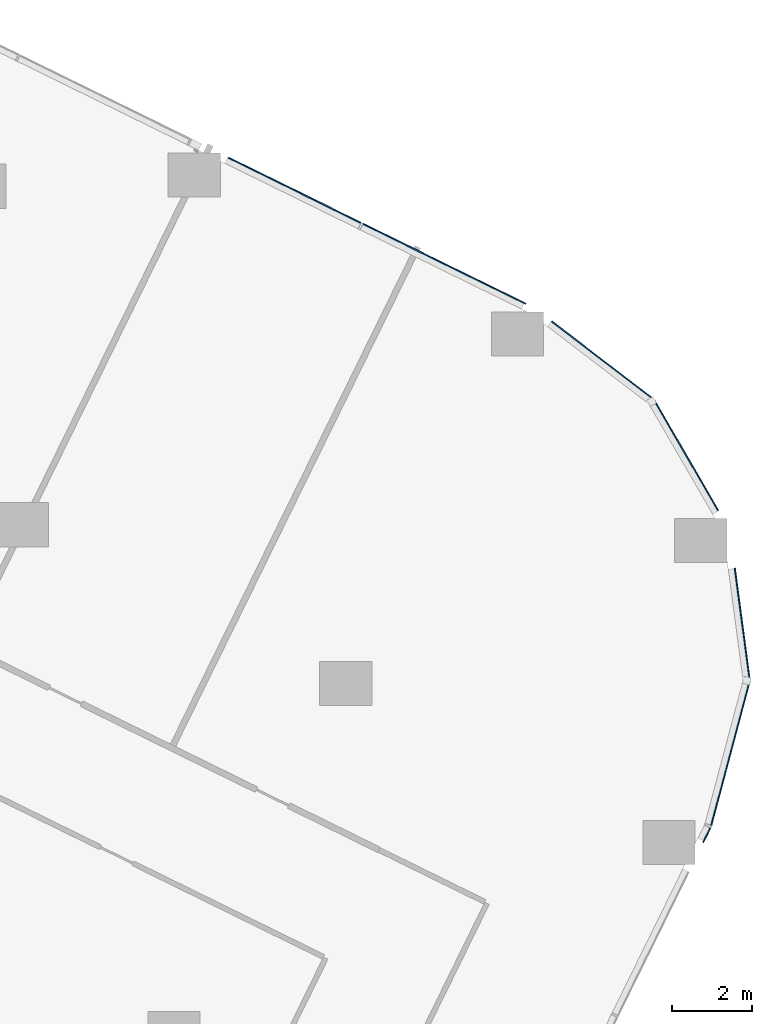
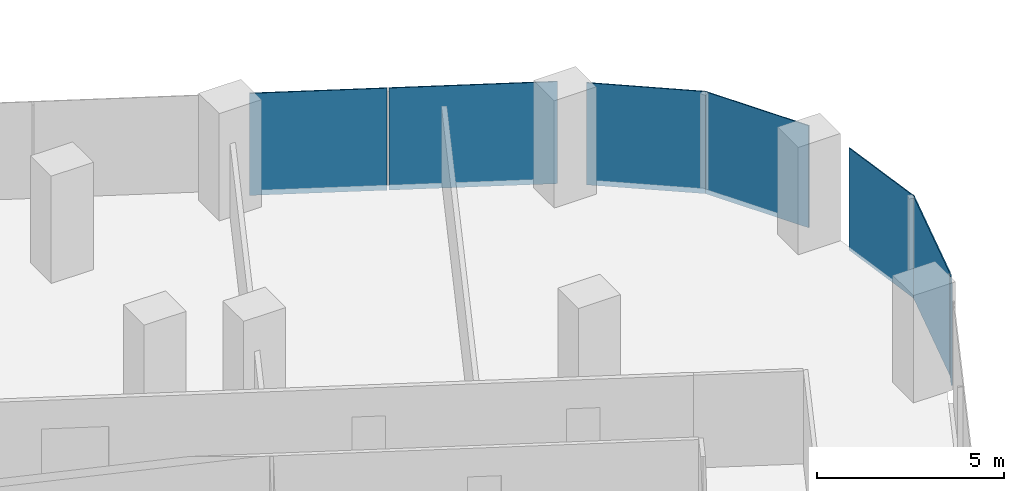
# One storey, part 23 of 38: 7 plates, 6 elements without a shape of their own.
"""IFC4 building model written with IfcOpenShell, lengths in metres."""

from ifc_helpers import new_model, si_unit, direction, frame, origin, origin_2d, place, context, subcontext, project, spatial, rectangle, extrude, material, layer, layer_set, type_object, element, aggregate, save


model = new_model("IFC4")

# Units and contexts
model_context = context("Model", 3, precision=1e-05, world=origin(), true_north=direction((0.0, 1.0)))
body_context = subcontext(model_context, "Body", "Model", "MODEL_VIEW")
ifc_project = project(units=[si_unit("LENGTHUNIT", "METRE"), si_unit("AREAUNIT", "SQUARE_METRE"), si_unit("VOLUMEUNIT", "CUBIC_METRE"), si_unit("PLANEANGLEUNIT", "RADIAN"), si_unit("MASSUNIT", "GRAM", prefix="KILO")], contexts=[model_context])

# Site, building, storey
site_placement = place(None, origin())
site = spatial("IfcSite", under=ifc_project, at=site_placement, CompositionType="ELEMENT")
building_placement = place(site_placement, origin())
building = spatial("IfcBuilding", under=site, at=building_placement, Name="Orlundy Tower", CompositionType="ELEMENT")
storey_placement = place(building_placement, frame((0.0, 0.0, 69.300048828125)))
storey = spatial("IfcBuildingStorey", under=building, at=storey_placement, Name="L16", CompositionType="ELEMENT", Elevation=69.300048828125)

# Curtain wall, plates
ifc_material_1 = material(Name="Aluminium bronze anodised", Category="aluminium")
curtain_wall_type = type_object("IfcCurtainWallType", Name="CW1 wall", PredefinedType="NOTDEFINED", material=ifc_material_1)
curtain_wall_1_placement = place(storey_placement, origin())
curtain_wall_1 = element("IfcCurtainWall", 1, at=curtain_wall_1_placement, inside=storey, type_object=curtain_wall_type, Name="CW1 run 018", PredefinedType="NOTDEFINED")
ifc_material_2 = material(Name="Tinted glass", Category="glass")
ifc_layer = layer(ifc_material_2, 0.031982421875)
ifc_layer_set = layer_set([ifc_layer], Name="CW1 glass panel 32")
plate_type = type_object("IfcPlateType", Name="CW1 glass panel 32", PredefinedType="CURTAIN_PANEL", material=ifc_layer_set)
plate_1_placement = place(storey_placement, frame((48.722900390625, -1.47314453125, -0.280029296875), z_axis=(0.0, 0.0, 1.0), x_axis=(0.897517823728, -0.440978180969, 0.0)))
plate_1 = element("IfcPlate", 2, at=plate_1_placement, type_object=plate_type, Name="CW1 panel", PredefinedType="CURTAIN_PANEL", context=body_context, shape_type="SweptSolid", body=[
    extrude(rectangle(XDim=3.68115234375, YDim=0.031982421875, at=origin_2d()), origin(), (0.0, 0.0, 1.0), 3.330078125),
])
plate_2_placement = place(storey_placement, frame((52.447021484375, -3.302978515625, -0.280029296875), z_axis=(0.0, 0.0, 1.0), x_axis=(0.897517823728, -0.440978180969, 0.0)))
plate_2 = element("IfcPlate", 3, at=plate_2_placement, type_object=plate_type, Name="CW1 panel", PredefinedType="CURTAIN_PANEL", context=body_context, shape_type="SweptSolid", body=[
    extrude(rectangle(XDim=4.517578125, YDim=0.031982421875, at=origin_2d()), origin(), (0.0, 0.0, 1.0), 3.330078125),
])
aggregate(curtain_wall_1, [plate_1, plate_2])

# Curtain wall, plate
curtain_wall_2_placement = place(storey_placement, origin())
curtain_wall_2 = element("IfcCurtainWall", 4, at=curtain_wall_2_placement, inside=storey, type_object=curtain_wall_type, Name="CW1 run 019", PredefinedType="NOTDEFINED")
plate_3_placement = place(storey_placement, frame((56.390869140625, -5.708740234375, -0.280029296875), z_axis=(0.0, 0.0, 1.0), x_axis=(0.794265929863, -0.607570269729, 0.0)))
plate_3 = element("IfcPlate", 5, at=plate_3_placement, type_object=plate_type, Name="CW1 panel", PredefinedType="CURTAIN_PANEL", context=body_context, shape_type="SweptSolid", body=[
    extrude(rectangle(XDim=3.202392578125, YDim=0.031982421875, at=origin_2d()), origin(), (0.0, 0.0, 1.0), 3.330078125),
])
aggregate(curtain_wall_2, [plate_3])

curtain_wall_3_placement = place(storey_placement, origin())
curtain_wall_3 = element("IfcCurtainWall", 6, at=curtain_wall_3_placement, inside=storey, type_object=curtain_wall_type, Name="CW1 run 020", PredefinedType="NOTDEFINED")
plate_4_placement = place(storey_placement, frame((58.462158203125, -8.062255859375, -0.280029296875), z_axis=(0.0, 0.0, 1.0), x_axis=(0.501185126223, -0.865340088782, 0.0)))
plate_4 = element("IfcPlate", 7, at=plate_4_placement, type_object=plate_type, Name="CW1 panel", PredefinedType="CURTAIN_PANEL", context=body_context, shape_type="SweptSolid", body=[
    extrude(rectangle(XDim=3.191162109375, YDim=0.031982421875, at=origin_2d()), origin(), (0.0, 0.0, 1.0), 3.330078125),
])
aggregate(curtain_wall_3, [plate_4])

curtain_wall_4_placement = place(storey_placement, origin())
curtain_wall_4 = element("IfcCurtainWall", 8, at=curtain_wall_4_placement, inside=storey, type_object=curtain_wall_type, Name="CW1 run 021", PredefinedType="NOTDEFINED")
plate_5_placement = place(storey_placement, frame((59.864013671875, -12.2802734375, -0.280029296875), z_axis=(0.0, 0.0, 1.0), x_axis=(0.131933971093, -0.991258506784, 0.0)))
plate_5 = element("IfcPlate", 9, at=plate_5_placement, type_object=plate_type, Name="CW1 panel", PredefinedType="CURTAIN_PANEL", context=body_context, shape_type="SweptSolid", body=[
    extrude(rectangle(XDim=2.833740234375, YDim=0.031982421875, at=origin_2d()), origin(), (0.0, 0.0, 1.0), 3.330078125),
])
aggregate(curtain_wall_4, [plate_5])

curtain_wall_5_placement = place(storey_placement, origin())
curtain_wall_5 = element("IfcCurtainWall", 10, at=curtain_wall_5_placement, inside=storey, type_object=curtain_wall_type, Name="CW1 run 022", PredefinedType="NOTDEFINED")
plate_6_placement = place(storey_placement, frame((59.57080078125, -15.487060546875, -0.280029296875), z_axis=(0.0, 0.0, 1.0), x_axis=(-0.257360406209, -0.966315487466, 0.0)))
plate_6 = element("IfcPlate", 11, at=plate_6_placement, type_object=plate_type, Name="CW1 panel", PredefinedType="CURTAIN_PANEL", context=body_context, shape_type="SweptSolid", body=[
    extrude(rectangle(XDim=3.73046875, YDim=0.031982421875, at=origin_2d()), origin(), (0.0, 0.0, 1.0), 3.330078125),
])
aggregate(curtain_wall_5, [plate_6])

curtain_wall_6_placement = place(storey_placement, origin())
curtain_wall_6 = element("IfcCurtainWall", 12, at=curtain_wall_6_placement, inside=storey, type_object=curtain_wall_type, Name="CW1 run 023", PredefinedType="NOTDEFINED")
plate_7_placement = place(storey_placement, frame((58.981201171875, -17.52392578125, -0.280029296875), z_axis=(0.0, 0.0, 1.0), x_axis=(-0.441012235503, -0.897501090883, 0.0)))
plate_7 = element("IfcPlate", 13, at=plate_7_placement, type_object=plate_type, Name="CW1 panel", PredefinedType="CURTAIN_PANEL", context=body_context, shape_type="SweptSolid", body=[
    extrude(rectangle(XDim=0.417724609375, YDim=0.031982421875, at=origin_2d()), origin(), (0.0, 0.0, 1.0), 3.330078125),
])
aggregate(curtain_wall_6, [plate_7])

save(model, "model.ifc")
